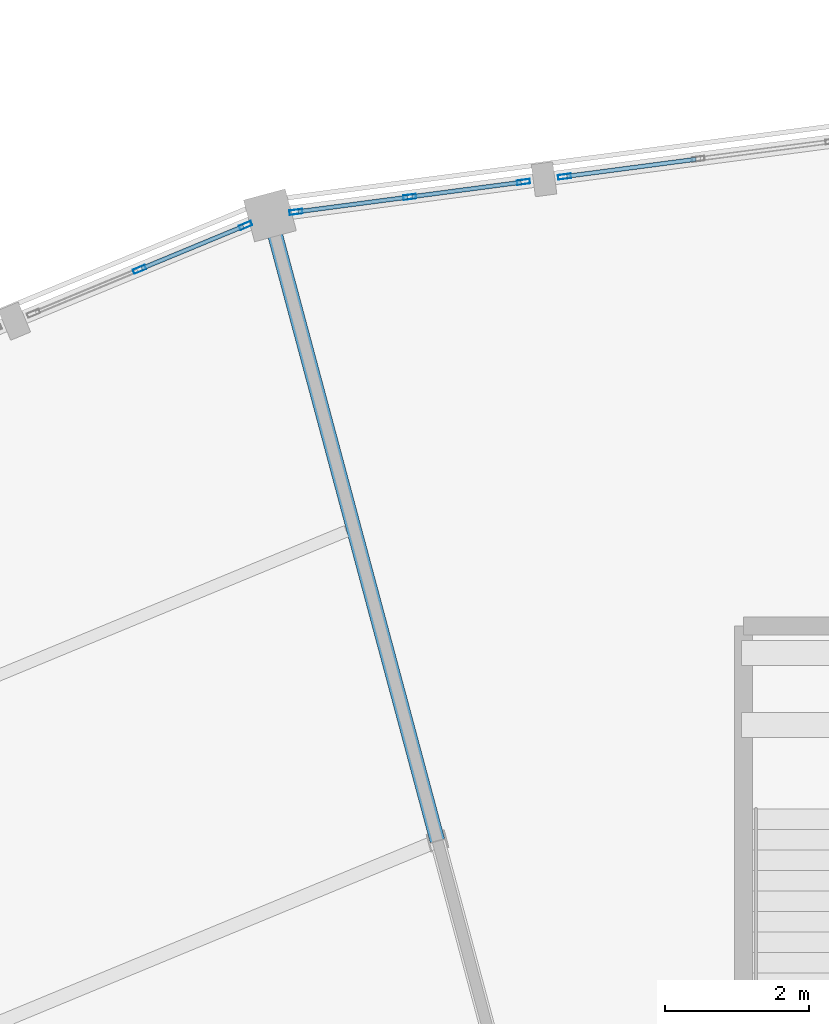
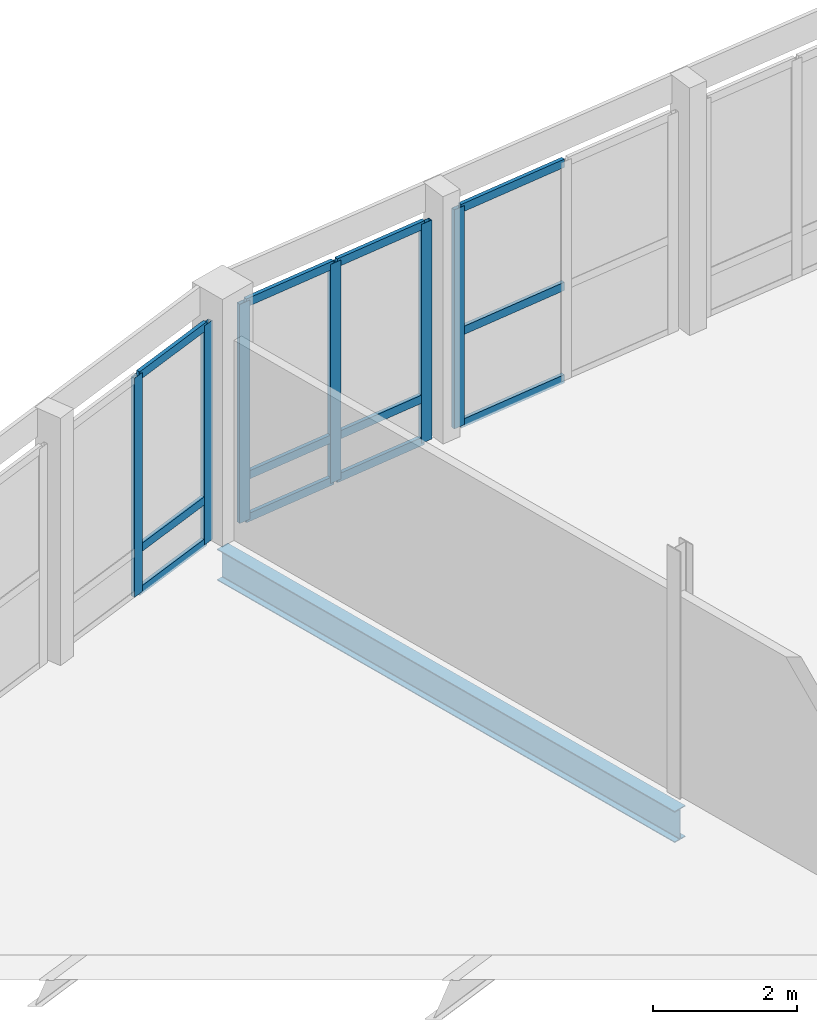
# One storey, part 88 of 185: 18 members, 1 beam, 3 elements without a shape of their own.
"""IFC4 building model written with IfcOpenShell, lengths in metres."""

from ifc_helpers import new_model, si_unit, direction, frame, origin, origin_2d, place, context, subcontext, project, spatial, hollow_rectangle, i_section, extrude, material, material_profile, profile_set, type_object, element, aggregate, save


model = new_model("IFC4")

# Units and contexts
model_context = context("Model", 3, precision=1e-05, world=origin(), true_north=direction((0.0, 1.0)))
body_context = subcontext(model_context, "Body", "Model", "MODEL_VIEW")
ifc_project = project(units=[si_unit("LENGTHUNIT", "METRE"), si_unit("AREAUNIT", "SQUARE_METRE"), si_unit("VOLUMEUNIT", "CUBIC_METRE"), si_unit("PLANEANGLEUNIT", "RADIAN"), si_unit("MASSUNIT", "GRAM", prefix="KILO")], contexts=[model_context])

# Site, building, storey
site_placement = place(None, origin())
site = spatial("IfcSite", under=ifc_project, at=site_placement, CompositionType="ELEMENT")
building_placement = place(site_placement, origin())
building = spatial("IfcBuilding", under=site, at=building_placement, Name="Vondelvale Polytechnic", CompositionType="ELEMENT")
storey_placement = place(building_placement, frame((0.0, 0.0, 9.60009765625)))
storey = spatial("IfcBuildingStorey", under=building, at=storey_placement, Name="L02", CompositionType="ELEMENT", Elevation=9.60009765625)

# Beam
ifc_material_1 = material(Name="Steel 300PLUS (fy = 300 MPa)", Category="steel")
ifc_material_profile_1 = material_profile(ifc_material_1, i_section(OverallWidth=0.208984375, OverallDepth=0.532958984375, WebThickness=0.01025390625, FlangeThickness=0.015625, FilletRadius=0.013916015625, at=origin_2d()), Name="530UB92.4")
ifc_profile_set_1 = profile_set([ifc_material_profile_1], Name="Steel 300PLUS (fy = 300 MPa)")
beam_type = type_object("IfcBeamType", Name="BM-UB530", PredefinedType="BEAM", material=ifc_profile_set_1)
beam_placement = place(storey_placement, frame((92.423583984375, 107.7392578125, -0.546630859375), z_axis=(-0.25881563226, 0.965926740751, 0.0), x_axis=(-0.965926740751, -0.25881563226, 0.0)))
element("IfcBeam", 1, at=beam_placement, inside=storey, type_object=beam_type, Name="L02 RG B-11", PredefinedType="BEAM", context=body_context, shape_type="SweptSolid", body=[
    extrude(i_section(OverallWidth=0.208984375, OverallDepth=0.532958984375, WebThickness=0.01025390625, FlangeThickness=0.015625, FilletRadius=0.013916015625, at=origin_2d()), origin(), (0.0, 0.0, 1.0), 9.0),
])

# Curtain wall, member
ifc_material_2 = material(Name="Glulam GL18 structural Tasmanian oak (fb = 42 MPa)", Category="wood")
curtain_wall_type = type_object("IfcCurtainWallType", Name="CW-RING-OUTER", PredefinedType="NOTDEFINED", material=ifc_material_2)
curtain_wall_1_placement = place(storey_placement, origin())
curtain_wall_1 = element("IfcCurtainWall", 2, at=curtain_wall_1_placement, inside=storey, type_object=curtain_wall_type, Name="L02 architectural curtain wall CW-04-161", PredefinedType="NOTDEFINED")
ifc_material_3 = material(Name="Anodised extruded aluminium 6063-T6", Category="aluminium")
ifc_material_profile_2 = material_profile(ifc_material_3, hollow_rectangle(XDim=0.06494140625, YDim=0.179931640625, WallThickness=0.00390625, at=origin_2d()), Name="CW-MUL-180x65")
ifc_profile_set_2 = profile_set([ifc_material_profile_2], Name="Anodised extruded aluminium 6063-T6")
member_type_1 = type_object("IfcMemberType", Name="CW-MUL-65x180", PredefinedType="MULLION", material=ifc_profile_set_2)
member_1_placement = place(storey_placement, frame((94.189208984375, 116.9716796875, 0.0), z_axis=(0.0, 0.0, 1.0), x_axis=(0.130497251349, -0.991448671082, 0.0)))
member_1 = element("IfcMember", 3, at=member_1_placement, type_object=member_type_1, Name="CW-04-161 mullion 3", PredefinedType="MULLION", context=body_context, shape_type="SweptSolid", body=[
    extrude(hollow_rectangle(XDim=0.06494140625, YDim=0.179931640625, WallThickness=0.00390625, at=origin_2d()), origin(), (0.0, 0.0, 1.0), 3.719970703125),
])

# Curtain wall, members
curtain_wall_2_placement = place(storey_placement, origin())
curtain_wall_2 = element("IfcCurtainWall", 4, at=curtain_wall_2_placement, inside=storey, type_object=curtain_wall_type, Name="L02 architectural curtain wall CW-04-162", PredefinedType="NOTDEFINED")
member_2_placement = place(storey_placement, frame((93.619140625, 116.896728515625, 0.0), z_axis=(0.0, 0.0, 1.0), x_axis=(0.130539547729, -0.991443102996, 0.0)))
member_2 = element("IfcMember", 5, at=member_2_placement, type_object=member_type_1, Name="CW-04-162 mullion 1", PredefinedType="MULLION", context=body_context, shape_type="SweptSolid", body=[
    extrude(hollow_rectangle(XDim=0.06494140625, YDim=0.179931640625, WallThickness=0.00390625, at=origin_2d()), origin(), (0.0, 0.0, 1.0), 3.719970703125),
])
member_3_placement = place(storey_placement, frame((92.037841796875, 116.6884765625, 0.0), z_axis=(0.0, 0.0, 1.0), x_axis=(0.130539547729, -0.991443102996, 0.0)))
member_3 = element("IfcMember", 6, at=member_3_placement, type_object=member_type_1, Name="CW-04-162 mullion 2", PredefinedType="MULLION", context=body_context, shape_type="SweptSolid", body=[
    extrude(hollow_rectangle(XDim=0.06494140625, YDim=0.179931640625, WallThickness=0.00390625, at=origin_2d()), origin(), (0.0, 0.0, 1.0), 3.719970703125),
])
member_4_placement = place(storey_placement, frame((90.45654296875, 116.480224609375, 0.0), z_axis=(0.0, 0.0, 1.0), x_axis=(0.130539547729, -0.991443102996, 0.0)))
member_4 = element("IfcMember", 7, at=member_4_placement, type_object=member_type_1, Name="CW-04-162 mullion 3", PredefinedType="MULLION", context=body_context, shape_type="SweptSolid", body=[
    extrude(hollow_rectangle(XDim=0.06494140625, YDim=0.179931640625, WallThickness=0.00390625, at=origin_2d()), origin(), (0.0, 0.0, 1.0), 3.719970703125),
])

curtain_wall_3_placement = place(storey_placement, origin())
curtain_wall_3 = element("IfcCurtainWall", 8, at=curtain_wall_3_placement, inside=storey, type_object=curtain_wall_type, Name="L02 architectural curtain wall CW-04-180", PredefinedType="NOTDEFINED")
member_5_placement = place(storey_placement, frame((89.7568359375, 116.29296875, 0.0), z_axis=(0.0, 0.0, 1.0), x_axis=(0.382677394529, -0.923882033442, 0.0)))
member_5 = element("IfcMember", 9, at=member_5_placement, type_object=member_type_1, Name="CW-04-180 mullion 1", PredefinedType="MULLION", context=body_context, shape_type="SweptSolid", body=[
    extrude(hollow_rectangle(XDim=0.06494140625, YDim=0.179931640625, WallThickness=0.00390625, at=origin_2d()), origin(), (0.0, 0.0, 1.0), 3.719970703125),
])
member_6_placement = place(storey_placement, frame((88.283203125, 115.6826171875, 0.0), z_axis=(0.0, 0.0, 1.0), x_axis=(0.382677394529, -0.923882033442, 0.0)))
member_6 = element("IfcMember", 10, at=member_6_placement, type_object=member_type_1, Name="CW-04-180 mullion 2", PredefinedType="MULLION", context=body_context, shape_type="SweptSolid", body=[
    extrude(hollow_rectangle(XDim=0.06494140625, YDim=0.179931640625, WallThickness=0.00390625, at=origin_2d()), origin(), (0.0, 0.0, 1.0), 3.719970703125),
])

# Member
ifc_material_profile_3 = material_profile(ifc_material_3, hollow_rectangle(XDim=0.06005859375, YDim=0.139892578125, WallThickness=0.00341796875, at=origin_2d()), Name="CW-TRN-140x60")
ifc_profile_set_3 = profile_set([ifc_material_profile_3], Name="Anodised extruded aluminium 6063-T6")
member_type_2 = type_object("IfcMemberType", Name="CW-TRN-60x140", PredefinedType="USERDEFINED", material=ifc_profile_set_3)
member_7_placement = place(storey_placement, frame((96.014892578125, 117.212158203125, 0.02978515625), z_axis=(-0.991446943979, -0.130510372288, 0.0), x_axis=(0.130510372288, -0.991446943979, 0.0)))
member_7 = element("IfcMember", 11, at=member_7_placement, type_object=member_type_2, Name="CW-04-161 transom 2.1", ObjectType="TRANSOM", PredefinedType="USERDEFINED", context=body_context, shape_type="SweptSolid", body=[
    extrude(hollow_rectangle(XDim=0.06005859375, YDim=0.139892578125, WallThickness=0.00341796875, at=origin_2d()), origin(), (0.0, 0.0, 1.0), 1.808837890625),
])

member_8_placement = place(storey_placement, frame((96.014892578125, 117.212158203125, 1.599853515625), z_axis=(-0.991446943979, -0.130510372288, 0.0), x_axis=(0.130510372288, -0.991446943979, 0.0)))
member_8 = element("IfcMember", 12, at=member_8_placement, type_object=member_type_2, Name="CW-04-161 transom 2.2", ObjectType="TRANSOM", PredefinedType="USERDEFINED", context=body_context, shape_type="SweptSolid", body=[
    extrude(hollow_rectangle(XDim=0.06005859375, YDim=0.139892578125, WallThickness=0.00341796875, at=origin_2d()), origin(), (0.0, 0.0, 1.0), 1.808837890625),
])

member_9_placement = place(storey_placement, frame((96.014892578125, 117.212158203125, 3.68994140625), z_axis=(-0.991446943979, -0.130510372288, 0.0), x_axis=(0.130510372288, -0.991446943979, 0.0)))
member_9 = element("IfcMember", 13, at=member_9_placement, type_object=member_type_2, Name="CW-04-161 transom 2.3", ObjectType="TRANSOM", PredefinedType="USERDEFINED", context=body_context, shape_type="SweptSolid", body=[
    extrude(hollow_rectangle(XDim=0.06005859375, YDim=0.139892578125, WallThickness=0.00341796875, at=origin_2d()), origin(), (0.0, 0.0, 1.0), 1.808837890625),
])

aggregate(curtain_wall_1, [member_1, member_7, member_8, member_9])

member_10_placement = place(storey_placement, frame((93.5869140625, 116.892333984375, 0.02978515625), z_axis=(-0.991443972703, -0.130532942165, 0.0), x_axis=(0.130532942165, -0.991443972703, 0.0)))
member_10 = element("IfcMember", 14, at=member_10_placement, type_object=member_type_2, Name="CW-04-162 transom 1.1", ObjectType="TRANSOM", PredefinedType="USERDEFINED", context=body_context, shape_type="SweptSolid", body=[
    extrude(hollow_rectangle(XDim=0.06005859375, YDim=0.139892578125, WallThickness=0.00341796875, at=origin_2d()), origin(), (0.0, 0.0, 1.0), 1.530029296875),
])

member_11_placement = place(storey_placement, frame((93.5869140625, 116.892333984375, 0.75), z_axis=(-0.991443972703, -0.130532942165, 0.0), x_axis=(0.130532942165, -0.991443972703, 0.0)))
member_11 = element("IfcMember", 15, at=member_11_placement, type_object=member_type_2, Name="CW-04-162 transom 1.2", ObjectType="TRANSOM", PredefinedType="USERDEFINED", context=body_context, shape_type="SweptSolid", body=[
    extrude(hollow_rectangle(XDim=0.06005859375, YDim=0.139892578125, WallThickness=0.00341796875, at=origin_2d()), origin(), (0.0, 0.0, 1.0), 1.530029296875),
])

member_12_placement = place(storey_placement, frame((93.5869140625, 116.892333984375, 3.68994140625), z_axis=(-0.991443972703, -0.130532942165, 0.0), x_axis=(0.130532942165, -0.991443972703, 0.0)))
member_12 = element("IfcMember", 16, at=member_12_placement, type_object=member_type_2, Name="CW-04-162 transom 1.3", ObjectType="TRANSOM", PredefinedType="USERDEFINED", context=body_context, shape_type="SweptSolid", body=[
    extrude(hollow_rectangle(XDim=0.06005859375, YDim=0.139892578125, WallThickness=0.00341796875, at=origin_2d()), origin(), (0.0, 0.0, 1.0), 1.530029296875),
])

member_13_placement = place(storey_placement, frame((92.005615234375, 116.684326171875, 0.02978515625), z_axis=(-0.99142603388, -0.13066912162, 0.0), x_axis=(0.13066912162, -0.99142603388, 0.0)))
member_13 = element("IfcMember", 17, at=member_13_placement, type_object=member_type_2, Name="CW-04-162 transom 2.1", ObjectType="TRANSOM", PredefinedType="USERDEFINED", context=body_context, shape_type="SweptSolid", body=[
    extrude(hollow_rectangle(XDim=0.06005859375, YDim=0.139892578125, WallThickness=0.00341796875, at=origin_2d()), origin(), (0.0, 0.0, 1.0), 1.5302734375),
])

member_14_placement = place(storey_placement, frame((92.005615234375, 116.684326171875, 0.75), z_axis=(-0.99142603388, -0.13066912162, 0.0), x_axis=(0.13066912162, -0.99142603388, 0.0)))
member_14 = element("IfcMember", 18, at=member_14_placement, type_object=member_type_2, Name="CW-04-162 transom 2.2", ObjectType="TRANSOM", PredefinedType="USERDEFINED", context=body_context, shape_type="SweptSolid", body=[
    extrude(hollow_rectangle(XDim=0.06005859375, YDim=0.139892578125, WallThickness=0.00341796875, at=origin_2d()), origin(), (0.0, 0.0, 1.0), 1.5302734375),
])

member_15_placement = place(storey_placement, frame((92.005615234375, 116.684326171875, 3.68994140625), z_axis=(-0.99142603388, -0.13066912162, 0.0), x_axis=(0.13066912162, -0.99142603388, 0.0)))
member_15 = element("IfcMember", 19, at=member_15_placement, type_object=member_type_2, Name="CW-04-162 transom 2.3", ObjectType="TRANSOM", PredefinedType="USERDEFINED", context=body_context, shape_type="SweptSolid", body=[
    extrude(hollow_rectangle(XDim=0.06005859375, YDim=0.139892578125, WallThickness=0.00341796875, at=origin_2d()), origin(), (0.0, 0.0, 1.0), 1.5302734375),
])

aggregate(curtain_wall_2, [member_2, member_3, member_4, member_10, member_11, member_12, member_13, member_14, member_15])

member_16_placement = place(storey_placement, frame((89.726806640625, 116.280517578125, 0.02978515625), z_axis=(-0.923839843027, -0.382779237206, 0.0), x_axis=(0.382779237206, -0.923839843027, 0.0)))
member_16 = element("IfcMember", 20, at=member_16_placement, type_object=member_type_2, Name="CW-04-180 transom 1.1", ObjectType="TRANSOM", PredefinedType="USERDEFINED", context=body_context, shape_type="SweptSolid", body=[
    extrude(hollow_rectangle(XDim=0.06005859375, YDim=0.139892578125, WallThickness=0.00341796875, at=origin_2d()), origin(), (0.0, 0.0, 1.0), 1.530029296875),
])

member_17_placement = place(storey_placement, frame((89.726806640625, 116.280517578125, 0.75), z_axis=(-0.923839843027, -0.382779237206, 0.0), x_axis=(0.382779237206, -0.923839843027, 0.0)))
member_17 = element("IfcMember", 21, at=member_17_placement, type_object=member_type_2, Name="CW-04-180 transom 1.2", ObjectType="TRANSOM", PredefinedType="USERDEFINED", context=body_context, shape_type="SweptSolid", body=[
    extrude(hollow_rectangle(XDim=0.06005859375, YDim=0.139892578125, WallThickness=0.00341796875, at=origin_2d()), origin(), (0.0, 0.0, 1.0), 1.530029296875),
])

member_18_placement = place(storey_placement, frame((89.726806640625, 116.280517578125, 3.68994140625), z_axis=(-0.923839843027, -0.382779237206, 0.0), x_axis=(0.382779237206, -0.923839843027, 0.0)))
member_18 = element("IfcMember", 22, at=member_18_placement, type_object=member_type_2, Name="CW-04-180 transom 1.3", ObjectType="TRANSOM", PredefinedType="USERDEFINED", context=body_context, shape_type="SweptSolid", body=[
    extrude(hollow_rectangle(XDim=0.06005859375, YDim=0.139892578125, WallThickness=0.00341796875, at=origin_2d()), origin(), (0.0, 0.0, 1.0), 1.530029296875),
])

aggregate(curtain_wall_3, [member_5, member_6, member_16, member_17, member_18])

save(model, "model.ifc")
